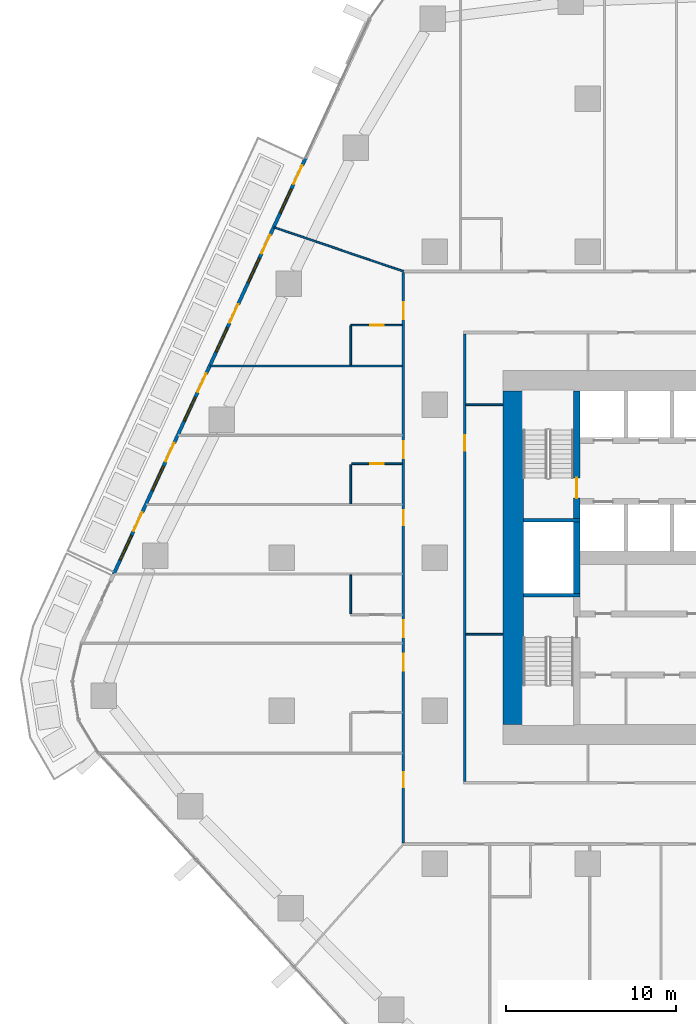
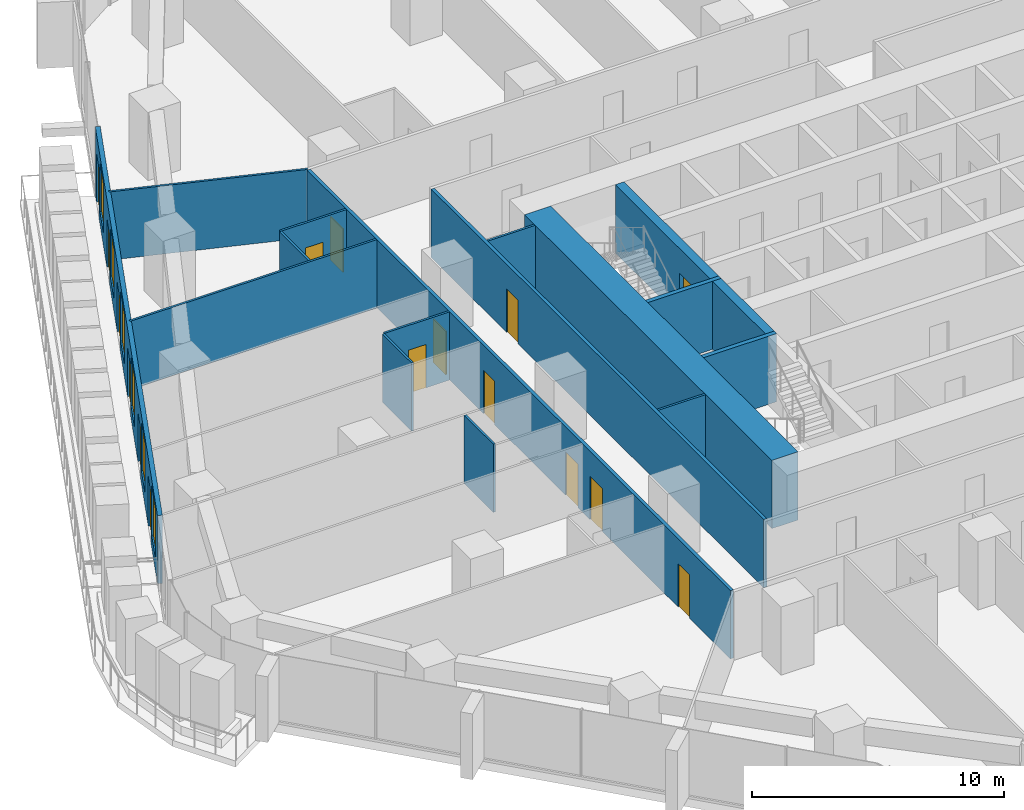
# One storey, part 15 of 27: 17 walls, 16 doors, 6 windows, 22 openings.
"""IFC4 building model written with IfcOpenShell, lengths in metres."""

from ifc_helpers import new_model, si_unit, direction, frame, frame_2d, origin, place, context, subcontext, project, spatial, rectangle, extrude, material, layer, layer_set, type_object, element, fill, save


model = new_model("IFC4")

# Units and contexts
model_context = context("Model", 3, precision=1e-05, world=origin(), true_north=direction((0.0, 1.0)))
body_context = subcontext(model_context, "Body", "Model", "MODEL_VIEW")
ifc_project = project(units=[si_unit("LENGTHUNIT", "METRE"), si_unit("AREAUNIT", "SQUARE_METRE"), si_unit("VOLUMEUNIT", "CUBIC_METRE"), si_unit("PLANEANGLEUNIT", "RADIAN"), si_unit("MASSUNIT", "GRAM", prefix="KILO")], contexts=[model_context])

# Site, building, storey
site_placement = place(None, origin())
site = spatial("IfcSite", under=ifc_project, at=site_placement, CompositionType="ELEMENT")
building_placement = place(site_placement, origin())
building = spatial("IfcBuilding", under=site, at=building_placement, Name="Dongbaek Canopy Tower", CompositionType="ELEMENT")
storey_placement = place(building_placement, frame((0.0, 0.0, 58.800048828125)))
storey = spatial("IfcBuildingStorey", under=building, at=storey_placement, Name="L10", CompositionType="ELEMENT", Elevation=58.800048828125)

# Wall
ifc_material_1 = material(Name="Concrete C60/75", Category="concrete")
ifc_layer_1 = layer(ifc_material_1, 1.199951171875)
ifc_layer_set_1 = layer_set([ifc_layer_1], Name="Core outer wall 1200 Concrete C60/75")
wall_type_1 = type_object("IfcWallType", Name="Core outer wall 1200 Concrete C60/75", PredefinedType="SHEAR", material=ifc_layer_set_1)
wall_1_placement = place(storey_placement, frame((-13.39990234375, -9.800048828125, 0.0), z_axis=(0.0, 0.0, 1.0), x_axis=(0.0, 1.0, 0.0)))
element("IfcWall", 1, at=wall_1_placement, inside=storey, type_object=wall_type_1, Name="Core wall", PredefinedType="SHEAR", context=body_context, shape_type="SweptSolid", body=[
    extrude(rectangle(XDim=19.60009765625, YDim=1.199951171875, at=frame_2d((9.800048828125, 0.0))), origin(), (0.0, 0.0, 1.0), 3.300048828125),
])

# Wall, opening, door
ifc_material_2 = material(Name="Gypsum board partition, steel stud, 2 x 15 mm fire board", Category="steel")
ifc_layer_2 = layer(ifc_material_2, 0.14990234375)
ifc_layer_set_2 = layer_set([ifc_layer_2], Name="Fire-rated partition 150 gypsum board")
wall_type_2 = type_object("IfcWallType", Name="Fire-rated partition 150 gypsum board", PredefinedType="PARTITIONING", material=ifc_layer_set_2)
wall_2_placement = place(storey_placement, frame((-16.25, 13.175048828125, 0.0), z_axis=(0.0, 0.0, 1.0), x_axis=(0.0, -1.0, 0.0)))
wall_2 = element("IfcWall", 2, at=wall_2_placement, inside=storey, type_object=wall_type_2, Name="Corridor partition", PredefinedType="PARTITIONING", context=body_context, shape_type="SweptSolid", body=[
    extrude(rectangle(XDim=26.35009765625, YDim=0.14990234375, at=frame_2d((13.175048828125, 0.0))), origin(), (0.0, 0.0, 1.0), 3.300048828125),
])
opening_1_placement = place(wall_2_placement, frame((5.97509765625, 0.0, 0.0)))
opening_1 = element("IfcOpeningElement", 3, at=opening_1_placement, cuts=wall_2, Name="Opening L10-D043", PredefinedType="OPENING", context=body_context, shape_type="SweptSolid", body=[
    extrude(rectangle(XDim=0.89990234375, YDim=2.10009765625, at=frame_2d((0.449951171875, 1.050048828125))), frame((0.0, 0.0849609375, 0.0), z_axis=(0.0, -1.0, 0.0), x_axis=(1.0, 0.0, 0.0)), (0.0, 0.0, 1.0), 0.169921875),
])
ifc_material_3 = material(Name="Timber veneered door leaf", Category="wood")
door_type_1 = type_object("IfcDoorType", Name="Room door 900 x 2100", OperationType="SINGLE_SWING_LEFT", PredefinedType="DOOR", material=ifc_material_3)
door_1_placement = place(opening_1_placement, origin())
door_1 = element("IfcDoor", 4, at=door_1_placement, inside=storey, type_object=door_type_1, Name="Door L10-D043", OperationType="SINGLE_SWING_RIGHT", OverallHeight=2.10009765625, OverallWidth=0.89990234375, PredefinedType="DOOR", context=body_context, shape_type="SweptSolid", body=[
    extrude(rectangle(XDim=0.89990234375, YDim=2.10009765625, at=frame_2d((0.449951171875, 1.050048828125))), frame((0.0, 0.02490234375, 0.0), z_axis=(0.0, -1.0, 0.0), x_axis=(1.0, 0.0, 0.0)), (0.0, 0.0, 1.0), 0.050048828125),
])
fill(opening_1, door_1)

# Wall, openings, doors
wall_3_placement = place(storey_placement, frame((-19.85009765625, -16.77490234375, 0.0), z_axis=(0.0, 0.0, 1.0), x_axis=(0.0, 1.0, 0.0)))
wall_3 = element("IfcWall", 5, at=wall_3_placement, inside=storey, type_object=wall_type_2, Name="Corridor partition", PredefinedType="PARTITIONING", context=body_context, shape_type="SweptSolid", body=[
    extrude(rectangle(XDim=33.5498046875, YDim=0.14990234375, at=frame_2d((16.77490234375, 0.0))), origin(), (0.0, 0.0, 1.0), 3.300048828125),
])
opening_2_placement = place(wall_3_placement, frame((12.08251953125, 0.0, 0.0)))
opening_2 = element("IfcOpeningElement", 6, at=opening_2_placement, cuts=wall_3, Name="Opening L10-D002", PredefinedType="OPENING", context=body_context, shape_type="SweptSolid", body=[
    extrude(rectangle(XDim=1.0, YDim=2.10009765625, at=frame_2d((0.5, 1.050048828125))), frame((0.0, 0.0849609375, 0.0), z_axis=(0.0, -1.0, 0.0), x_axis=(1.0, 0.0, 0.0)), (0.0, 0.0, 1.0), 0.169921875),
])
opening_3_placement = place(wall_3_placement, frame((10.128173828125, 0.0, 0.0)))
opening_3 = element("IfcOpeningElement", 7, at=opening_3_placement, cuts=wall_3, Name="Opening L10-D004", PredefinedType="OPENING", context=body_context, shape_type="SweptSolid", body=[
    extrude(rectangle(XDim=1.0, YDim=2.10009765625, at=frame_2d((0.5, 1.050048828125))), frame((0.0, 0.0849609375, 0.0), z_axis=(0.0, -1.0, 0.0), x_axis=(1.0, 0.0, 0.0)), (0.0, 0.0, 1.0), 0.169921875),
])
opening_4_placement = place(wall_3_placement, frame((3.25927734375, 0.0, 0.0)))
opening_4 = element("IfcOpeningElement", 8, at=opening_4_placement, cuts=wall_3, Name="Opening L10-D005", PredefinedType="OPENING", context=body_context, shape_type="SweptSolid", body=[
    extrude(rectangle(XDim=0.89990234375, YDim=2.10009765625, at=frame_2d((0.449951171875, 1.050048828125))), frame((0.0, 0.0849609375, 0.0), z_axis=(0.0, -1.0, 0.0), x_axis=(1.0, 0.0, 0.0)), (0.0, 0.0, 1.0), 0.169921875),
])
opening_5_placement = place(wall_3_placement, frame((30.798583984375, 0.0, 0.0)))
opening_5 = element("IfcOpeningElement", 9, at=opening_5_placement, cuts=wall_3, Name="Opening L10-D032", PredefinedType="OPENING", context=body_context, shape_type="SweptSolid", body=[
    extrude(rectangle(XDim=1.0, YDim=2.10009765625, at=frame_2d((0.5, 1.050048828125))), frame((0.0, 0.0849609375, 0.0), z_axis=(0.0, -1.0, 0.0), x_axis=(1.0, 0.0, 0.0)), (0.0, 0.0, 1.0), 0.169921875),
])
opening_6_placement = place(wall_3_placement, frame((22.638427734375, 0.0, 0.0)))
opening_6 = element("IfcOpeningElement", 10, at=opening_6_placement, cuts=wall_3, Name="Opening L10-D034", PredefinedType="OPENING", context=body_context, shape_type="SweptSolid", body=[
    extrude(rectangle(XDim=1.0, YDim=2.10009765625, at=frame_2d((0.5, 1.050048828125))), frame((0.0, 0.0849609375, 0.0), z_axis=(0.0, -1.0, 0.0), x_axis=(1.0, 0.0, 0.0)), (0.0, 0.0, 1.0), 0.169921875),
])
opening_7_placement = place(wall_3_placement, frame((18.681396484375, 0.0, 0.0)))
opening_7 = element("IfcOpeningElement", 11, at=opening_7_placement, cuts=wall_3, Name="Opening L10-D035", PredefinedType="OPENING", context=body_context, shape_type="SweptSolid", body=[
    extrude(rectangle(XDim=0.89990234375, YDim=2.10009765625, at=frame_2d((0.449951171875, 1.050048828125))), frame((0.0, 0.0849609375, 0.0), z_axis=(0.0, -1.0, 0.0), x_axis=(1.0, 0.0, 0.0)), (0.0, 0.0, 1.0), 0.169921875),
])
ifc_material_4 = material(Name="Timber veneered door leaf", Category="wood")
door_type_2 = type_object("IfcDoorType", Name="Guest room door 1000 x 2100", OperationType="SINGLE_SWING_LEFT", PredefinedType="DOOR", material=ifc_material_4)
door_2_placement = place(opening_2_placement, origin())
door_2 = element("IfcDoor", 12, at=door_2_placement, inside=storey, type_object=door_type_2, Name="Door L10-D002", OperationType="SINGLE_SWING_RIGHT", OverallHeight=2.10009765625, OverallWidth=1.0, PredefinedType="DOOR", context=body_context, shape_type="SweptSolid", body=[
    extrude(rectangle(XDim=1.0, YDim=2.10009765625, at=frame_2d((0.5, 1.050048828125))), frame((0.0, 0.02490234375, 0.0), z_axis=(0.0, -1.0, 0.0), x_axis=(1.0, 0.0, 0.0)), (0.0, 0.0, 1.0), 0.050048828125),
])
fill(opening_2, door_2)
door_3_placement = place(opening_3_placement, origin())
door_3 = element("IfcDoor", 13, at=door_3_placement, inside=storey, type_object=door_type_2, Name="Door L10-D004", OperationType="SINGLE_SWING_LEFT", OverallHeight=2.10009765625, OverallWidth=1.0, PredefinedType="DOOR", context=body_context, shape_type="SweptSolid", body=[
    extrude(rectangle(XDim=1.0, YDim=2.10009765625, at=frame_2d((0.5, 1.050048828125))), frame((0.0, 0.02490234375, 0.0), z_axis=(0.0, -1.0, 0.0), x_axis=(1.0, 0.0, 0.0)), (0.0, 0.0, 1.0), 0.050048828125),
])
fill(opening_3, door_3)
door_4_placement = place(opening_5_placement, origin())
door_4 = element("IfcDoor", 14, at=door_4_placement, inside=storey, type_object=door_type_2, Name="Door L10-D032", OperationType="SINGLE_SWING_LEFT", OverallHeight=2.10009765625, OverallWidth=1.0, PredefinedType="DOOR", context=body_context, shape_type="SweptSolid", body=[
    extrude(rectangle(XDim=1.0, YDim=2.10009765625, at=frame_2d((0.5, 1.050048828125))), frame((0.0, 0.02490234375, 0.0), z_axis=(0.0, -1.0, 0.0), x_axis=(1.0, 0.0, 0.0)), (0.0, 0.0, 1.0), 0.050048828125),
])
fill(opening_5, door_4)
door_5_placement = place(opening_6_placement, origin())
door_5 = element("IfcDoor", 15, at=door_5_placement, inside=storey, type_object=door_type_2, Name="Door L10-D034", OperationType="SINGLE_SWING_LEFT", OverallHeight=2.10009765625, OverallWidth=1.0, PredefinedType="DOOR", context=body_context, shape_type="SweptSolid", body=[
    extrude(rectangle(XDim=1.0, YDim=2.10009765625, at=frame_2d((0.5, 1.050048828125))), frame((0.0, 0.02490234375, 0.0), z_axis=(0.0, -1.0, 0.0), x_axis=(1.0, 0.0, 0.0)), (0.0, 0.0, 1.0), 0.050048828125),
])
fill(opening_6, door_5)
door_6_placement = place(opening_4_placement, origin())
door_6 = element("IfcDoor", 16, at=door_6_placement, inside=storey, type_object=door_type_1, Name="Door L10-D005", OperationType="SINGLE_SWING_RIGHT", OverallHeight=2.10009765625, OverallWidth=0.89990234375, PredefinedType="DOOR", context=body_context, shape_type="SweptSolid", body=[
    extrude(rectangle(XDim=0.89990234375, YDim=2.10009765625, at=frame_2d((0.449951171875, 1.050048828125))), frame((0.0, 0.02490234375, 0.0), z_axis=(0.0, -1.0, 0.0), x_axis=(1.0, 0.0, 0.0)), (0.0, 0.0, 1.0), 0.050048828125),
])
fill(opening_4, door_6)
door_7_placement = place(opening_7_placement, origin())
door_7 = element("IfcDoor", 17, at=door_7_placement, inside=storey, type_object=door_type_1, Name="Door L10-D035", OperationType="SINGLE_SWING_RIGHT", OverallHeight=2.10009765625, OverallWidth=0.89990234375, PredefinedType="DOOR", context=body_context, shape_type="SweptSolid", body=[
    extrude(rectangle(XDim=0.89990234375, YDim=2.10009765625, at=frame_2d((0.449951171875, 1.050048828125))), frame((0.0, 0.02490234375, 0.0), z_axis=(0.0, -1.0, 0.0), x_axis=(1.0, 0.0, 0.0)), (0.0, 0.0, 1.0), 0.050048828125),
])
fill(opening_7, door_7)

# Wall
ifc_material_5 = material(Name="Gypsum board partition, steel stud, 2 x 12.5 mm board", Category="steel")
ifc_layer_3 = layer(ifc_material_5, 0.10009765625)
ifc_layer_set_3 = layer_set([ifc_layer_3], Name="Partition 100 gypsum board")
wall_type_3 = type_object("IfcWallType", Name="Partition 100 gypsum board", PredefinedType="PARTITIONING", material=ifc_layer_set_3)
wall_4_placement = place(storey_placement, frame((-16.175048828125, -4.5, 0.0), z_axis=(0.0, 0.0, 1.0), x_axis=(1.0, 0.0, 0.0)))
element("IfcWall", 18, at=wall_4_placement, inside=storey, type_object=wall_type_3, Name="Partition", PredefinedType="PARTITIONING", context=body_context, shape_type="SweptSolid", body=[
    extrude(rectangle(XDim=2.175048828125, YDim=0.10009765625, at=frame_2d((1.08740234375, 0.0))), origin(), (0.0, 0.0, 1.0), 3.300048828125),
])

# Wall, opening, door
wall_5_placement = place(storey_placement, frame((-19.925048828125, 5.52294921875, 0.0), z_axis=(0.0, 0.0, 1.0), x_axis=(-1.0, 0.0, 0.0)))
wall_5 = element("IfcWall", 19, at=wall_5_placement, inside=storey, type_object=wall_type_3, Name="Partition", PredefinedType="PARTITIONING", context=body_context, shape_type="SweptSolid", body=[
    extrude(rectangle(XDim=2.974853515625, YDim=0.10009765625, at=frame_2d((1.4873046875, 0.0))), origin(), (0.0, 0.0, 1.0), 3.300048828125),
])
opening_8_placement = place(wall_5_placement, frame((1.074951171875, 0.0, 0.0)))
opening_8 = element("IfcOpeningElement", 20, at=opening_8_placement, cuts=wall_5, Name="Opening L10-D033", PredefinedType="OPENING", context=body_context, shape_type="SweptSolid", body=[
    extrude(rectangle(XDim=0.800048828125, YDim=2.10009765625, at=frame_2d((0.39990234375, 1.050048828125))), frame((0.0, 0.06005859375, 0.0), z_axis=(0.0, -1.0, 0.0), x_axis=(1.0, 0.0, 0.0)), (0.0, 0.0, 1.0), 0.1201171875),
])
ifc_material_6 = material(Name="Timber veneered door leaf", Category="wood")
door_type_3 = type_object("IfcDoorType", Name="En-suite door 800 x 2100", OperationType="SINGLE_SWING_LEFT", PredefinedType="DOOR", material=ifc_material_6)
door_8_placement = place(opening_8_placement, origin())
door_8 = element("IfcDoor", 21, at=door_8_placement, inside=storey, type_object=door_type_3, Name="Door L10-D033", OperationType="SINGLE_SWING_RIGHT", OverallHeight=2.10009765625, OverallWidth=0.800048828125, PredefinedType="DOOR", context=body_context, shape_type="SweptSolid", body=[
    extrude(rectangle(XDim=0.800048828125, YDim=2.10009765625, at=frame_2d((0.39990234375, 1.050048828125))), frame((0.0, 0.02490234375, 0.0), z_axis=(0.0, -1.0, 0.0), x_axis=(1.0, 0.0, 0.0)), (0.0, 0.0, 1.0), 0.050048828125),
])
fill(opening_8, door_8)

# Walls
wall_6_placement = place(storey_placement, frame((-16.175048828125, 9.0, 0.0), z_axis=(0.0, 0.0, 1.0), x_axis=(1.0, 0.0, 0.0)))
element("IfcWall", 22, at=wall_6_placement, inside=storey, type_object=wall_type_3, Name="Partition", PredefinedType="PARTITIONING", context=body_context, shape_type="SweptSolid", body=[
    extrude(rectangle(XDim=2.175048828125, YDim=0.10009765625, at=frame_2d((1.08740234375, 0.0))), origin(), (0.0, 0.0, 1.0), 3.300048828125),
])
wall_7_placement = place(storey_placement, frame((-31.224609375, 11.283935546875, 0.0), z_axis=(0.0, 0.0, 1.0), x_axis=(1.0, 0.0, 0.0)))
element("IfcWall", 23, at=wall_7_placement, inside=storey, type_object=wall_type_3, Name="Partition", PredefinedType="PARTITIONING", context=body_context, shape_type="SweptSolid", body=[
    extrude(rectangle(XDim=11.299560546875, YDim=0.10009765625, at=frame_2d((5.64990234375, 0.0))), origin(), (0.0, 0.0, 1.0), 3.300048828125),
])

# Wall, opening, door
wall_8_placement = place(storey_placement, frame((-19.925048828125, 13.68408203125, 0.0), z_axis=(0.0, 0.0, 1.0), x_axis=(-1.0, 0.0, 0.0)))
wall_8 = element("IfcWall", 24, at=wall_8_placement, inside=storey, type_object=wall_type_3, Name="Partition", PredefinedType="PARTITIONING", context=body_context, shape_type="SweptSolid", body=[
    extrude(rectangle(XDim=3.02490234375, YDim=0.10009765625, at=frame_2d((1.512451171875, 0.0))), origin(), (0.0, 0.0, 1.0), 3.300048828125),
])
opening_9_placement = place(wall_8_placement, frame((1.074951171875, 0.0, 0.0)))
opening_9 = element("IfcOpeningElement", 25, at=opening_9_placement, cuts=wall_8, Name="Opening L10-D031", PredefinedType="OPENING", context=body_context, shape_type="SweptSolid", body=[
    extrude(rectangle(XDim=0.800048828125, YDim=2.10009765625, at=frame_2d((0.39990234375, 1.050048828125))), frame((0.0, 0.06005859375, 0.0), z_axis=(0.0, -1.0, 0.0), x_axis=(1.0, 0.0, 0.0)), (0.0, 0.0, 1.0), 0.1201171875),
])
door_9_placement = place(opening_9_placement, origin())
door_9 = element("IfcDoor", 26, at=door_9_placement, inside=storey, type_object=door_type_3, Name="Door L10-D031", OperationType="SINGLE_SWING_RIGHT", OverallHeight=2.10009765625, OverallWidth=0.800048828125, PredefinedType="DOOR", context=body_context, shape_type="SweptSolid", body=[
    extrude(rectangle(XDim=0.800048828125, YDim=2.10009765625, at=frame_2d((0.39990234375, 1.050048828125))), frame((0.0, 0.02490234375, 0.0), z_axis=(0.0, -1.0, 0.0), x_axis=(1.0, 0.0, 0.0)), (0.0, 0.0, 1.0), 0.050048828125),
])
fill(opening_9, door_9)

# Walls
wall_9_placement = place(storey_placement, frame((-22.949951171875, -3.306884765625, 0.0), z_axis=(0.0, 0.0, 1.0), x_axis=(0.0, 1.0, 0.0)))
element("IfcWall", 27, at=wall_9_placement, inside=storey, type_object=wall_type_3, Name="Partition", PredefinedType="PARTITIONING", context=body_context, shape_type="SweptSolid", body=[
    extrude(rectangle(XDim=2.2998046875, YDim=0.10009765625, at=frame_2d((1.14990234375, 0.0))), origin(), (0.0, 0.0, 1.0), 3.300048828125),
])
wall_10_placement = place(storey_placement, frame((-22.949951171875, 3.17333984375, 0.0), z_axis=(0.0, 0.0, 1.0), x_axis=(0.0, 1.0, 0.0)))
element("IfcWall", 28, at=wall_10_placement, inside=storey, type_object=wall_type_3, Name="Partition", PredefinedType="PARTITIONING", context=body_context, shape_type="SweptSolid", body=[
    extrude(rectangle(XDim=2.300048828125, YDim=0.10009765625, at=frame_2d((1.14990234375, 0.0))), origin(), (0.0, 0.0, 1.0), 3.300048828125),
])
wall_11_placement = place(storey_placement, frame((-22.949951171875, 11.333984375, 0.0), z_axis=(0.0, 0.0, 1.0), x_axis=(0.0, 1.0, 0.0)))
element("IfcWall", 29, at=wall_11_placement, inside=storey, type_object=wall_type_3, Name="Partition", PredefinedType="PARTITIONING", context=body_context, shape_type="SweptSolid", body=[
    extrude(rectangle(XDim=2.299560546875, YDim=0.10009765625, at=frame_2d((1.14990234375, 0.0))), origin(), (0.0, 0.0, 1.0), 3.300048828125),
])
wall_12_placement = place(storey_placement, frame((-27.463623046875, 19.437744140625, 0.0), z_axis=(0.0, 0.0, 1.0), x_axis=(0.946811969778, -0.321787342643, 0.0)))
element("IfcWall", 30, at=wall_12_placement, inside=storey, type_object=wall_type_3, Name="Partition", PredefinedType="PARTITIONING", context=body_context, shape_type="SweptSolid", body=[
    extrude(rectangle(XDim=8.04150390625, YDim=0.10009765625, at=frame_2d((4.020751953125, 0.0))), origin(), (0.0, 0.0, 1.0), 3.300048828125),
])
ifc_material_7 = material(Name="Concrete C60/75", Category="concrete")
ifc_layer_4 = layer(ifc_material_7, 0.199951171875)
ifc_layer_set_4 = layer_set([ifc_layer_4], Name="Riser wall 200 Concrete C60/75")
wall_type_4 = type_object("IfcWallType", Name="Riser wall 200 Concrete C60/75", PredefinedType="SHEAR", material=ifc_layer_set_4)
for number, where, z_axis, x_axis, name in (
    (31, (-9.449951171875, 2.199951171875, 0.0), (0.0, 0.0, 1.0), (-1.0, 0.0, 0.0), "Riser wall"),
    (32, (-9.449951171875, -2.199951171875, 0.0), (0.0, 0.0, 1.0), (-1.0, 0.0, 0.0), "Riser wall"),
):
    element("IfcWall", number, at=place(storey_placement, frame(where, z_axis=z_axis, x_axis=x_axis)), inside=storey, type_object=wall_type_4, Name=name, PredefinedType="SHEAR", context=body_context, shape_type="SweptSolid", body=[
        extrude(rectangle(XDim=3.35009765625, YDim=0.199951171875, at=frame_2d((1.675048828125, 0.0))), origin(), (0.0, 0.0, 1.0), 3.300048828125),
    ])
ifc_material_8 = material(Name="Concrete C60/75", Category="concrete")
ifc_layer_5 = layer(ifc_material_8, 0.39990234375)
ifc_layer_set_5 = layer_set([ifc_layer_5], Name="Stair wall 400 Concrete C60/75")
wall_type_5 = type_object("IfcWallType", Name="Stair wall 400 Concrete C60/75", PredefinedType="SHEAR", material=ifc_layer_set_5)
wall_13_placement = place(storey_placement, frame((-9.64990234375, -2.10009765625, 0.0), z_axis=(0.0, 0.0, 1.0), x_axis=(0.0, 1.0, 0.0)))
element("IfcWall", 33, at=wall_13_placement, inside=storey, type_object=wall_type_5, Name="Stair wall", PredefinedType="SHEAR", context=body_context, shape_type="SweptSolid", body=[
    extrude(rectangle(XDim=4.2001953125, YDim=0.39990234375, at=frame_2d((2.10009765625, 0.0))), origin(), (0.0, 0.0, 1.0), 3.300048828125),
])

# Wall, opening, door
wall_14_placement = place(storey_placement, frame((-9.64990234375, 2.300048828125, 0.0), z_axis=(0.0, 0.0, 1.0), x_axis=(0.0, 1.0, 0.0)))
wall_14 = element("IfcWall", 34, at=wall_14_placement, inside=storey, type_object=wall_type_5, Name="Stair wall", PredefinedType="SHEAR", context=body_context, shape_type="SweptSolid", body=[
    extrude(rectangle(XDim=7.5, YDim=0.39990234375, at=frame_2d((3.75, 0.0))), origin(), (0.0, 0.0, 1.0), 3.300048828125),
])
opening_10_placement = place(wall_14_placement, frame((1.199951171875, 0.0, 0.0)))
opening_10 = element("IfcOpeningElement", 35, at=opening_10_placement, cuts=wall_14, Name="Opening L10-D069", PredefinedType="OPENING", context=body_context, shape_type="SweptSolid", body=[
    extrude(rectangle(XDim=1.199951171875, YDim=2.10009765625, at=frame_2d((0.60009765625, 1.050048828125))), frame((0.0, 0.2099609375, 0.0), z_axis=(0.0, -1.0, 0.0), x_axis=(1.0, 0.0, 0.0)), (0.0, 0.0, 1.0), 0.419921875),
])
ifc_material_9 = material(Name="Steel", Category="steel")
door_type_4 = type_object("IfcDoorType", Name="Stair door 1200 x 2100", OperationType="SINGLE_SWING_LEFT", PredefinedType="DOOR", material=ifc_material_9)
door_10_placement = place(opening_10_placement, origin())
door_10 = element("IfcDoor", 36, at=door_10_placement, inside=storey, type_object=door_type_4, Name="Stair C door", OperationType="SINGLE_SWING_RIGHT", OverallHeight=2.10009765625, OverallWidth=1.199951171875, PredefinedType="DOOR", context=body_context, shape_type="SweptSolid", body=[
    extrude(rectangle(XDim=1.199951171875, YDim=2.10009765625, at=frame_2d((0.60009765625, 1.050048828125))), frame((0.0, 0.02490234375, 0.0), z_axis=(0.0, -1.0, 0.0), x_axis=(1.0, 0.0, 0.0)), (0.0, 0.0, 1.0), 0.050048828125),
])
fill(opening_10, door_10)

# Wall, openings, doors, windows
ifc_material_10 = material(Name="Aluminium window wall", Category="aluminium")
ifc_layer_6 = layer(ifc_material_10, 0.199951171875)
ifc_layer_set_6 = layer_set([ifc_layer_6], Name="Window wall 200")
wall_type_6 = type_object("IfcWallType", Name="Window wall 200", PredefinedType="SOLIDWALL", material=ifc_layer_set_6)
wall_15_placement = place(storey_placement, frame((-25.60107421875, 23.524169921875, 0.0), z_axis=(0.0, 0.0, 1.0), x_axis=(-0.418809499218, -0.908074117771, 0.0)))
wall_15 = element("IfcWall", 37, at=wall_15_placement, inside=storey, type_object=wall_type_6, Name="Window wall L10 3", PredefinedType="SOLIDWALL", context=body_context, shape_type="SweptSolid", body=[
    extrude(rectangle(XDim=26.959228515625, YDim=0.199951171875, at=frame_2d((13.4794921875, 0.0))), origin(), (0.0, 0.0, 1.0), 3.300048828125),
])
opening_11_placement = place(wall_15_placement, frame((2.0, 0.0, 0.60009765625)))
opening_11 = element("IfcOpeningElement", 38, at=opening_11_placement, cuts=wall_15, Name="Opening W1", PredefinedType="OPENING", context=body_context, shape_type="SweptSolid", body=[
    extrude(rectangle(XDim=1.60009765625, YDim=2.39990234375, at=frame_2d((0.800048828125, 1.199951171875))), frame((0.0, 0.10986328125, 0.0), z_axis=(0.0, -1.0, 0.0), x_axis=(1.0, 0.0, 0.0)), (0.0, 0.0, 1.0), 0.219970703125),
])
opening_12_placement = place(wall_15_placement, frame((0.5, 0.0, 0.0)))
opening_12 = element("IfcOpeningElement", 39, at=opening_12_placement, cuts=wall_15, Name="Opening L10-B11", PredefinedType="OPENING", context=body_context, shape_type="SweptSolid", body=[
    extrude(rectangle(XDim=1.199951171875, YDim=2.39990234375, at=frame_2d((0.60009765625, 1.199951171875))), frame((0.0, 0.10986328125, 0.0), z_axis=(0.0, -1.0, 0.0), x_axis=(1.0, 0.0, 0.0)), (0.0, 0.0, 1.0), 0.219970703125),
])
opening_13_placement = place(wall_15_placement, frame((6.4931640625, 0.0, 0.60009765625)))
opening_13 = element("IfcOpeningElement", 40, at=opening_13_placement, cuts=wall_15, Name="Opening W1", PredefinedType="OPENING", context=body_context, shape_type="SweptSolid", body=[
    extrude(rectangle(XDim=1.60009765625, YDim=2.39990234375, at=frame_2d((0.800048828125, 1.199951171875))), frame((0.0, 0.10986328125, 0.0), z_axis=(0.0, -1.0, 0.0), x_axis=(1.0, 0.0, 0.0)), (0.0, 0.0, 1.0), 0.219970703125),
])
opening_14_placement = place(wall_15_placement, frame((4.9931640625, 0.0, 0.0)))
opening_14 = element("IfcOpeningElement", 41, at=opening_14_placement, cuts=wall_15, Name="Opening L10-B12", PredefinedType="OPENING", context=body_context, shape_type="SweptSolid", body=[
    extrude(rectangle(XDim=1.199951171875, YDim=2.39990234375, at=frame_2d((0.60009765625, 1.199951171875))), frame((0.0, 0.10986328125, 0.0), z_axis=(0.0, -1.0, 0.0), x_axis=(1.0, 0.0, 0.0)), (0.0, 0.0, 1.0), 0.219970703125),
])
opening_15_placement = place(wall_15_placement, frame((10.986572265625, 0.0, 0.60009765625)))
opening_15 = element("IfcOpeningElement", 42, at=opening_15_placement, cuts=wall_15, Name="Opening W1", PredefinedType="OPENING", context=body_context, shape_type="SweptSolid", body=[
    extrude(rectangle(XDim=1.60009765625, YDim=2.39990234375, at=frame_2d((0.800048828125, 1.199951171875))), frame((0.0, 0.10986328125, 0.0), z_axis=(0.0, -1.0, 0.0), x_axis=(1.0, 0.0, 0.0)), (0.0, 0.0, 1.0), 0.219970703125),
])
opening_16_placement = place(wall_15_placement, frame((9.486572265625, 0.0, 0.0)))
opening_16 = element("IfcOpeningElement", 43, at=opening_16_placement, cuts=wall_15, Name="Opening L10-B13", PredefinedType="OPENING", context=body_context, shape_type="SweptSolid", body=[
    extrude(rectangle(XDim=1.199951171875, YDim=2.39990234375, at=frame_2d((0.60009765625, 1.199951171875))), frame((0.0, 0.10986328125, 0.0), z_axis=(0.0, -1.0, 0.0), x_axis=(1.0, 0.0, 0.0)), (0.0, 0.0, 1.0), 0.219970703125),
])
opening_17_placement = place(wall_15_placement, frame((15.479736328125, 0.0, 0.60009765625)))
opening_17 = element("IfcOpeningElement", 44, at=opening_17_placement, cuts=wall_15, Name="Opening W1", PredefinedType="OPENING", context=body_context, shape_type="SweptSolid", body=[
    extrude(rectangle(XDim=1.60009765625, YDim=2.39990234375, at=frame_2d((0.800048828125, 1.199951171875))), frame((0.0, 0.10986328125, 0.0), z_axis=(0.0, -1.0, 0.0), x_axis=(1.0, 0.0, 0.0)), (0.0, 0.0, 1.0), 0.219970703125),
])
opening_18_placement = place(wall_15_placement, frame((13.979736328125, 0.0, 0.0)))
opening_18 = element("IfcOpeningElement", 45, at=opening_18_placement, cuts=wall_15, Name="Opening L10-B14", PredefinedType="OPENING", context=body_context, shape_type="SweptSolid", body=[
    extrude(rectangle(XDim=1.199951171875, YDim=2.39990234375, at=frame_2d((0.60009765625, 1.199951171875))), frame((0.0, 0.10986328125, 0.0), z_axis=(0.0, -1.0, 0.0), x_axis=(1.0, 0.0, 0.0)), (0.0, 0.0, 1.0), 0.219970703125),
])
opening_19_placement = place(wall_15_placement, frame((19.972900390625, 0.0, 0.60009765625)))
opening_19 = element("IfcOpeningElement", 46, at=opening_19_placement, cuts=wall_15, Name="Opening W1", PredefinedType="OPENING", context=body_context, shape_type="SweptSolid", body=[
    extrude(rectangle(XDim=1.60009765625, YDim=2.39990234375, at=frame_2d((0.800048828125, 1.199951171875))), frame((0.0, 0.10986328125, 0.0), z_axis=(0.0, -1.0, 0.0), x_axis=(1.0, 0.0, 0.0)), (0.0, 0.0, 1.0), 0.219970703125),
])
opening_20_placement = place(wall_15_placement, frame((18.472900390625, 0.0, 0.0)))
opening_20 = element("IfcOpeningElement", 47, at=opening_20_placement, cuts=wall_15, Name="Opening L10-B15", PredefinedType="OPENING", context=body_context, shape_type="SweptSolid", body=[
    extrude(rectangle(XDim=1.199951171875, YDim=2.39990234375, at=frame_2d((0.60009765625, 1.199951171875))), frame((0.0, 0.10986328125, 0.0), z_axis=(0.0, -1.0, 0.0), x_axis=(1.0, 0.0, 0.0)), (0.0, 0.0, 1.0), 0.219970703125),
])
opening_21_placement = place(wall_15_placement, frame((24.466064453125, 0.0, 0.60009765625)))
opening_21 = element("IfcOpeningElement", 48, at=opening_21_placement, cuts=wall_15, Name="Opening W1", PredefinedType="OPENING", context=body_context, shape_type="SweptSolid", body=[
    extrude(rectangle(XDim=1.60009765625, YDim=2.39990234375, at=frame_2d((0.800048828125, 1.199951171875))), frame((0.0, 0.10986328125, 0.0), z_axis=(0.0, -1.0, 0.0), x_axis=(1.0, 0.0, 0.0)), (0.0, 0.0, 1.0), 0.219970703125),
])
opening_22_placement = place(wall_15_placement, frame((22.966064453125, 0.0, 0.0)))
opening_22 = element("IfcOpeningElement", 49, at=opening_22_placement, cuts=wall_15, Name="Opening L10-B16", PredefinedType="OPENING", context=body_context, shape_type="SweptSolid", body=[
    extrude(rectangle(XDim=1.199951171875, YDim=2.39990234375, at=frame_2d((0.60009765625, 1.199951171875))), frame((0.0, 0.10986328125, 0.0), z_axis=(0.0, -1.0, 0.0), x_axis=(1.0, 0.0, 0.0)), (0.0, 0.0, 1.0), 0.219970703125),
])
ifc_material_11 = material(Name="Clear glazing in aluminium frame", Category="aluminium")
door_type_5 = type_object("IfcDoorType", Name="Balcony door BD1 1200 x 2400", OperationType="SLIDING_TO_LEFT", PredefinedType="DOOR", material=ifc_material_11)
door_11_placement = place(opening_12_placement, origin())
door_11 = element("IfcDoor", 50, at=door_11_placement, inside=storey, type_object=door_type_5, Name="Balcony door L10-B11", OperationType="SLIDING_TO_LEFT", OverallHeight=2.39990234375, OverallWidth=1.199951171875, PredefinedType="DOOR", context=body_context, shape_type="SweptSolid", body=[
    extrude(rectangle(XDim=1.199951171875, YDim=2.39990234375, at=frame_2d((0.60009765625, 1.199951171875))), frame((0.0, 0.02490234375, 0.0), z_axis=(0.0, -1.0, 0.0), x_axis=(1.0, 0.0, 0.0)), (0.0, 0.0, 1.0), 0.050048828125),
])
fill(opening_12, door_11)
door_12_placement = place(opening_14_placement, origin())
door_12 = element("IfcDoor", 51, at=door_12_placement, inside=storey, type_object=door_type_5, Name="Balcony door L10-B12", OperationType="SLIDING_TO_LEFT", OverallHeight=2.39990234375, OverallWidth=1.199951171875, PredefinedType="DOOR", context=body_context, shape_type="SweptSolid", body=[
    extrude(rectangle(XDim=1.199951171875, YDim=2.39990234375, at=frame_2d((0.60009765625, 1.199951171875))), frame((0.0, 0.02490234375, 0.0), z_axis=(0.0, -1.0, 0.0), x_axis=(1.0, 0.0, 0.0)), (0.0, 0.0, 1.0), 0.050048828125),
])
fill(opening_14, door_12)
door_13_placement = place(opening_16_placement, origin())
door_13 = element("IfcDoor", 52, at=door_13_placement, inside=storey, type_object=door_type_5, Name="Balcony door L10-B13", OperationType="SLIDING_TO_LEFT", OverallHeight=2.39990234375, OverallWidth=1.199951171875, PredefinedType="DOOR", context=body_context, shape_type="SweptSolid", body=[
    extrude(rectangle(XDim=1.199951171875, YDim=2.39990234375, at=frame_2d((0.60009765625, 1.199951171875))), frame((0.0, 0.02490234375, 0.0), z_axis=(0.0, -1.0, 0.0), x_axis=(1.0, 0.0, 0.0)), (0.0, 0.0, 1.0), 0.050048828125),
])
fill(opening_16, door_13)
door_14_placement = place(opening_18_placement, origin())
door_14 = element("IfcDoor", 53, at=door_14_placement, inside=storey, type_object=door_type_5, Name="Balcony door L10-B14", OperationType="SLIDING_TO_LEFT", OverallHeight=2.39990234375, OverallWidth=1.199951171875, PredefinedType="DOOR", context=body_context, shape_type="SweptSolid", body=[
    extrude(rectangle(XDim=1.199951171875, YDim=2.39990234375, at=frame_2d((0.60009765625, 1.199951171875))), frame((0.0, 0.02490234375, 0.0), z_axis=(0.0, -1.0, 0.0), x_axis=(1.0, 0.0, 0.0)), (0.0, 0.0, 1.0), 0.050048828125),
])
fill(opening_18, door_14)
door_15_placement = place(opening_20_placement, origin())
door_15 = element("IfcDoor", 54, at=door_15_placement, inside=storey, type_object=door_type_5, Name="Balcony door L10-B15", OperationType="SLIDING_TO_LEFT", OverallHeight=2.39990234375, OverallWidth=1.199951171875, PredefinedType="DOOR", context=body_context, shape_type="SweptSolid", body=[
    extrude(rectangle(XDim=1.199951171875, YDim=2.39990234375, at=frame_2d((0.60009765625, 1.199951171875))), frame((0.0, 0.02490234375, 0.0), z_axis=(0.0, -1.0, 0.0), x_axis=(1.0, 0.0, 0.0)), (0.0, 0.0, 1.0), 0.050048828125),
])
fill(opening_20, door_15)
door_16_placement = place(opening_22_placement, origin())
door_16 = element("IfcDoor", 55, at=door_16_placement, inside=storey, type_object=door_type_5, Name="Balcony door L10-B16", OperationType="SLIDING_TO_LEFT", OverallHeight=2.39990234375, OverallWidth=1.199951171875, PredefinedType="DOOR", context=body_context, shape_type="SweptSolid", body=[
    extrude(rectangle(XDim=1.199951171875, YDim=2.39990234375, at=frame_2d((0.60009765625, 1.199951171875))), frame((0.0, 0.02490234375, 0.0), z_axis=(0.0, -1.0, 0.0), x_axis=(1.0, 0.0, 0.0)), (0.0, 0.0, 1.0), 0.050048828125),
])
fill(opening_22, door_16)
ifc_material_12 = material(Name="Clear glazing in aluminium frame", Category="aluminium")
window_type = type_object("IfcWindowType", Name="Window W1 1600 x 2400", PartitioningType="SINGLE_PANEL", PredefinedType="WINDOW", material=ifc_material_12)
window_1_placement = place(opening_11_placement, origin())
window_1 = element("IfcWindow", 56, at=window_1_placement, inside=storey, type_object=window_type, Name="Window L10 3.1", OverallHeight=2.39990234375, OverallWidth=1.60009765625, PartitioningType="SINGLE_PANEL", PredefinedType="WINDOW", context=body_context, shape_type="SweptSolid", body=[
    extrude(rectangle(XDim=1.60009765625, YDim=2.39990234375, at=frame_2d((0.800048828125, 1.199951171875))), frame((0.0, 0.030029296875, 0.0), z_axis=(0.0, -1.0, 0.0), x_axis=(1.0, 0.0, 0.0)), (0.0, 0.0, 1.0), 0.06005859375),
])
fill(opening_11, window_1)
window_2_placement = place(opening_13_placement, origin())
window_2 = element("IfcWindow", 57, at=window_2_placement, inside=storey, type_object=window_type, Name="Window L10 3.2", OverallHeight=2.39990234375, OverallWidth=1.60009765625, PartitioningType="SINGLE_PANEL", PredefinedType="WINDOW", context=body_context, shape_type="SweptSolid", body=[
    extrude(rectangle(XDim=1.60009765625, YDim=2.39990234375, at=frame_2d((0.800048828125, 1.199951171875))), frame((0.0, 0.030029296875, 0.0), z_axis=(0.0, -1.0, 0.0), x_axis=(1.0, 0.0, 0.0)), (0.0, 0.0, 1.0), 0.06005859375),
])
fill(opening_13, window_2)
window_3_placement = place(opening_15_placement, origin())
window_3 = element("IfcWindow", 58, at=window_3_placement, inside=storey, type_object=window_type, Name="Window L10 3.3", OverallHeight=2.39990234375, OverallWidth=1.60009765625, PartitioningType="SINGLE_PANEL", PredefinedType="WINDOW", context=body_context, shape_type="SweptSolid", body=[
    extrude(rectangle(XDim=1.60009765625, YDim=2.39990234375, at=frame_2d((0.800048828125, 1.199951171875))), frame((0.0, 0.030029296875, 0.0), z_axis=(0.0, -1.0, 0.0), x_axis=(1.0, 0.0, 0.0)), (0.0, 0.0, 1.0), 0.06005859375),
])
fill(opening_15, window_3)
window_4_placement = place(opening_17_placement, origin())
window_4 = element("IfcWindow", 59, at=window_4_placement, inside=storey, type_object=window_type, Name="Window L10 3.4", OverallHeight=2.39990234375, OverallWidth=1.60009765625, PartitioningType="SINGLE_PANEL", PredefinedType="WINDOW", context=body_context, shape_type="SweptSolid", body=[
    extrude(rectangle(XDim=1.60009765625, YDim=2.39990234375, at=frame_2d((0.800048828125, 1.199951171875))), frame((0.0, 0.030029296875, 0.0), z_axis=(0.0, -1.0, 0.0), x_axis=(1.0, 0.0, 0.0)), (0.0, 0.0, 1.0), 0.06005859375),
])
fill(opening_17, window_4)
window_5_placement = place(opening_19_placement, origin())
window_5 = element("IfcWindow", 60, at=window_5_placement, inside=storey, type_object=window_type, Name="Window L10 3.5", OverallHeight=2.39990234375, OverallWidth=1.60009765625, PartitioningType="SINGLE_PANEL", PredefinedType="WINDOW", context=body_context, shape_type="SweptSolid", body=[
    extrude(rectangle(XDim=1.60009765625, YDim=2.39990234375, at=frame_2d((0.800048828125, 1.199951171875))), frame((0.0, 0.030029296875, 0.0), z_axis=(0.0, -1.0, 0.0), x_axis=(1.0, 0.0, 0.0)), (0.0, 0.0, 1.0), 0.06005859375),
])
fill(opening_19, window_5)
window_6_placement = place(opening_21_placement, origin())
window_6 = element("IfcWindow", 61, at=window_6_placement, inside=storey, type_object=window_type, Name="Window L10 3.6", OverallHeight=2.39990234375, OverallWidth=1.60009765625, PartitioningType="SINGLE_PANEL", PredefinedType="WINDOW", context=body_context, shape_type="SweptSolid", body=[
    extrude(rectangle(XDim=1.60009765625, YDim=2.39990234375, at=frame_2d((0.800048828125, 1.199951171875))), frame((0.0, 0.030029296875, 0.0), z_axis=(0.0, -1.0, 0.0), x_axis=(1.0, 0.0, 0.0)), (0.0, 0.0, 1.0), 0.06005859375),
])
fill(opening_21, window_6)

save(model, "model.ifc")
